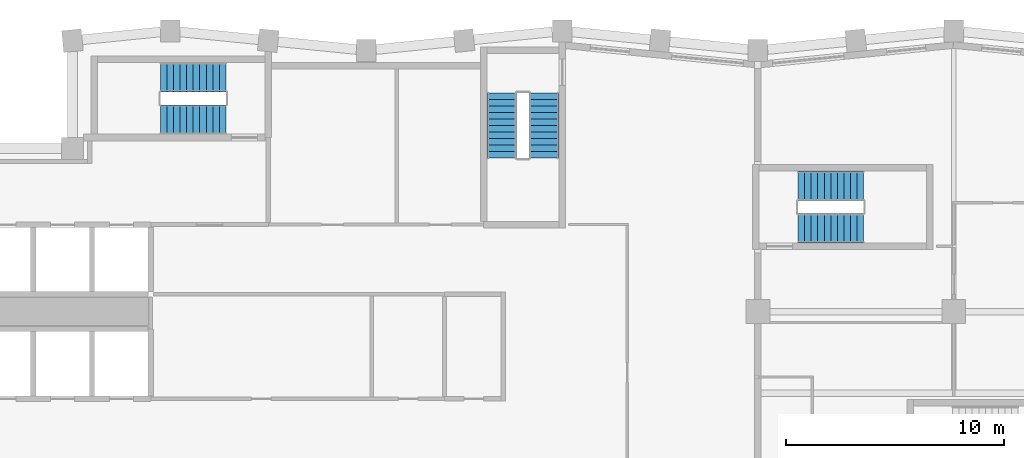
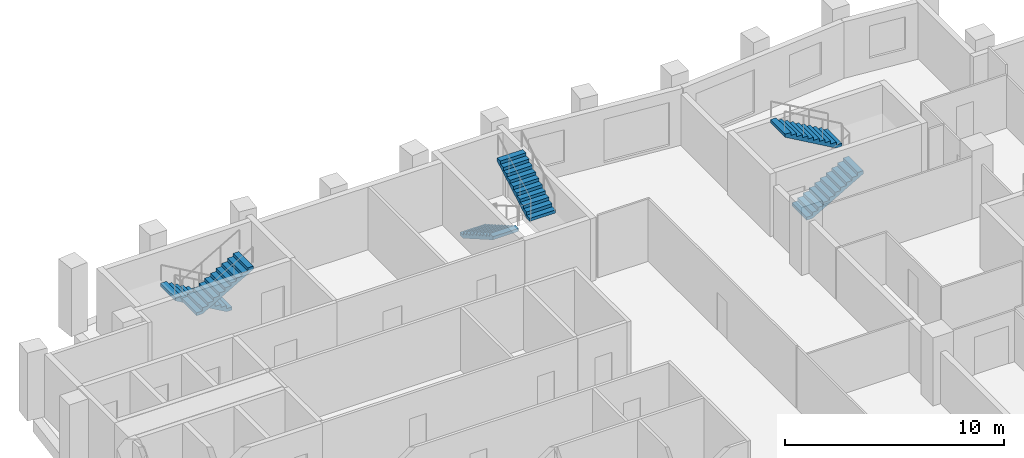
# One storey, part 7 of 8: 6 stair flights, 3 elements without a shape of their own.
"""IFC4 building model written with IfcOpenShell, lengths in metres."""

from ifc_helpers import new_model, si_unit, direction, frame, origin, place, context, subcontext, project, spatial, polyline, outline, extrude, material, type_object, element, aggregate, save


model = new_model("IFC4")

# Units and contexts
model_context = context("Model", 3, precision=1e-05, world=origin(), true_north=direction((0.0, 1.0)))
body_context = subcontext(model_context, "Body", "Model", "MODEL_VIEW")
ifc_project = project(units=[si_unit("LENGTHUNIT", "METRE"), si_unit("AREAUNIT", "SQUARE_METRE"), si_unit("VOLUMEUNIT", "CUBIC_METRE"), si_unit("PLANEANGLEUNIT", "RADIAN"), si_unit("MASSUNIT", "GRAM", prefix="KILO")], contexts=[model_context])

# Site, building, storey
site_placement = place(None, origin())
site = spatial("IfcSite", under=ifc_project, at=site_placement, CompositionType="ELEMENT")
building_placement = place(site_placement, origin())
building = spatial("IfcBuilding", under=site, at=building_placement, Name="Brondeck Convention Tower", CompositionType="ELEMENT")
storey_placement = place(building_placement, frame((0.0, 0.0, 217.800048828125)))
storey = spatial("IfcBuildingStorey", under=building, at=storey_placement, Name="L53", CompositionType="ELEMENT", Elevation=217.800048828125)

# Stair, stair flights
ifc_material = material(Name="Precast concrete C50/60", Category="concrete")
stair_type = type_object("IfcStairType", Name="Core stair 22 risers 172.73 mm riser 300 mm going 1350 wide", PredefinedType="HALF_TURN_STAIR", material=ifc_material)
stair_1_placement = place(storey_placement, origin())
stair_1 = element("IfcStair", 1, at=stair_1_placement, inside=storey, type_object=stair_type, Name="ST-2 L53 stair", PredefinedType="HALF_TURN_STAIR")
stair_flight_type = type_object("IfcStairFlightType", Name="Core stair flight 22 risers 172.73 mm riser 300 mm going 1350 wide", PredefinedType="STRAIGHT", material=ifc_material)
stair_flight_1_placement = place(storey_placement, frame((24.22509765625, 61.050048828125, 0.0), z_axis=(0.0, 0.0, 1.0), x_axis=(0.0, -1.0, 0.0)))
stair_flight_1 = element("IfcStairFlight", 2, at=stair_flight_1_placement, type_object=stair_flight_type, Name="ST-2 flight 1", NumberOfRisers=11, NumberOfTreads=10, PredefinedType="STRAIGHT", RiserHeight=0.172727273, TreadLength=0.3, context=body_context, shape_type="SweptSolid", body=[
    extrude(outline(polyline([(0.0, 0.0), (0.0, 0.172607421875), (0.300048828125, 0.172607421875), (0.300048828125, 0.345458984375), (0.60009765625, 0.345458984375), (0.60009765625, 0.51806640625), (0.89990234375, 0.51806640625), (0.89990234375, 0.69091796875), (1.199951171875, 0.69091796875), (1.199951171875, 0.863525390625), (1.5, 0.863525390625), (1.5, 1.036376953125), (1.800048828125, 1.036376953125), (1.800048828125, 1.208984375), (2.10009765625, 1.208984375), (2.10009765625, 1.3818359375), (2.39990234375, 1.3818359375), (2.39990234375, 1.554443359375), (2.699951171875, 1.554443359375), (2.699951171875, 1.727294921875), (3.0, 1.727294921875), (3.0, 1.89990234375), (3.0, 1.55419921875), (0.300537109375, 0.0), (0.0, 0.0)])), frame((0.0, 0.675048828125, 0.0), z_axis=(0.0, -1.0, 0.0), x_axis=(1.0, 0.0, 0.0)), (0.0, 0.0, 1.0), 1.35009765625),
])
stair_flight_2_placement = place(storey_placement, frame((26.175048828125, 58.050048828125, 1.89990234375), z_axis=(0.0, 0.0, 1.0), x_axis=(0.0, 1.0, 0.0)))
stair_flight_2 = element("IfcStairFlight", 3, at=stair_flight_2_placement, type_object=stair_flight_type, Name="ST-2 flight 2", NumberOfRisers=11, NumberOfTreads=10, PredefinedType="STRAIGHT", RiserHeight=0.172727273, TreadLength=0.3, context=body_context, shape_type="SweptSolid", body=[
    extrude(outline(polyline([(0.0, 0.0), (0.0, 0.172607421875), (0.300048828125, 0.172607421875), (0.300048828125, 0.345458984375), (0.60009765625, 0.345458984375), (0.60009765625, 0.51806640625), (0.89990234375, 0.51806640625), (0.89990234375, 0.69091796875), (1.199951171875, 0.69091796875), (1.199951171875, 0.863525390625), (1.5, 0.863525390625), (1.5, 1.036376953125), (1.800048828125, 1.036376953125), (1.800048828125, 1.208984375), (2.10009765625, 1.208984375), (2.10009765625, 1.3818359375), (2.39990234375, 1.3818359375), (2.39990234375, 1.554443359375), (2.699951171875, 1.554443359375), (2.699951171875, 1.727294921875), (3.0, 1.727294921875), (3.0, 1.89990234375), (3.0, 1.55419921875), (0.300537109375, 0.0), (0.0, 0.0)])), frame((0.0, 0.675048828125, 0.0), z_axis=(0.0, -1.0, 0.0), x_axis=(1.0, 0.0, 0.0)), (0.0, 0.0, 1.0), 1.35009765625),
])
aggregate(stair_1, [stair_flight_1, stair_flight_2])

stair_2_placement = place(storey_placement, origin())
stair_2 = element("IfcStair", 4, at=stair_2_placement, inside=storey, type_object=stair_type, Name="ST-3 L53 stair", PredefinedType="HALF_TURN_STAIR")
stair_flight_3_placement = place(storey_placement, frame((11.550048828125, 61.77490234375, 0.0), z_axis=(0.0, 0.0, 1.0), x_axis=(-1.0, 0.0, 0.0)))
stair_flight_3 = element("IfcStairFlight", 5, at=stair_flight_3_placement, type_object=stair_flight_type, Name="ST-3 flight 1", NumberOfRisers=11, NumberOfTreads=10, PredefinedType="STRAIGHT", RiserHeight=0.172727273, TreadLength=0.3, context=body_context, shape_type="SweptSolid", body=[
    extrude(outline(polyline([(0.0, 0.0), (0.0, 0.172607421875), (0.300048828125, 0.172607421875), (0.300048828125, 0.345458984375), (0.60009765625, 0.345458984375), (0.60009765625, 0.51806640625), (0.89990234375, 0.51806640625), (0.89990234375, 0.69091796875), (1.199951171875, 0.69091796875), (1.199951171875, 0.863525390625), (1.5, 0.863525390625), (1.5, 1.036376953125), (1.800048828125, 1.036376953125), (1.800048828125, 1.208984375), (2.10009765625, 1.208984375), (2.10009765625, 1.3818359375), (2.39990234375, 1.3818359375), (2.39990234375, 1.554443359375), (2.699951171875, 1.554443359375), (2.699951171875, 1.727294921875), (3.0, 1.727294921875), (3.0, 1.89990234375), (3.0, 1.55419921875), (0.300537109375, 0.0), (0.0, 0.0)])), frame((0.0, 0.675048828125, 0.0), z_axis=(0.0, -1.0, 0.0), x_axis=(1.0, 0.0, 0.0)), (0.0, 0.0, 1.0), 1.35009765625),
])
stair_flight_4_placement = place(storey_placement, frame((8.550048828125, 59.824951171875, 1.89990234375), z_axis=(0.0, 0.0, 1.0), x_axis=(1.0, 0.0, 0.0)))
stair_flight_4 = element("IfcStairFlight", 6, at=stair_flight_4_placement, type_object=stair_flight_type, Name="ST-3 flight 2", NumberOfRisers=11, NumberOfTreads=10, PredefinedType="STRAIGHT", RiserHeight=0.172727273, TreadLength=0.3, context=body_context, shape_type="SweptSolid", body=[
    extrude(outline(polyline([(0.0, 0.0), (0.0, 0.172607421875), (0.300048828125, 0.172607421875), (0.300048828125, 0.345458984375), (0.60009765625, 0.345458984375), (0.60009765625, 0.51806640625), (0.89990234375, 0.51806640625), (0.89990234375, 0.69091796875), (1.199951171875, 0.69091796875), (1.199951171875, 0.863525390625), (1.5, 0.863525390625), (1.5, 1.036376953125), (1.800048828125, 1.036376953125), (1.800048828125, 1.208984375), (2.10009765625, 1.208984375), (2.10009765625, 1.3818359375), (2.39990234375, 1.3818359375), (2.39990234375, 1.554443359375), (2.699951171875, 1.554443359375), (2.699951171875, 1.727294921875), (3.0, 1.727294921875), (3.0, 1.89990234375), (3.0, 1.55419921875), (0.300537109375, 0.0), (0.0, 0.0)])), frame((0.0, 0.675048828125, 0.0), z_axis=(0.0, -1.0, 0.0), x_axis=(1.0, 0.0, 0.0)), (0.0, 0.0, 1.0), 1.35009765625),
])
aggregate(stair_2, [stair_flight_3, stair_flight_4])

stair_3_placement = place(storey_placement, origin())
stair_3 = element("IfcStair", 7, at=stair_3_placement, inside=storey, type_object=stair_type, Name="ST-AE L53 stair", PredefinedType="HALF_TURN_STAIR")
stair_flight_5_placement = place(storey_placement, frame((37.85009765625, 54.824951171875, 0.0), z_axis=(0.0, 0.0, 1.0), x_axis=(1.0, 0.0, 0.0)))
stair_flight_5 = element("IfcStairFlight", 8, at=stair_flight_5_placement, type_object=stair_flight_type, Name="ST-AE flight 1", NumberOfRisers=11, NumberOfTreads=10, PredefinedType="STRAIGHT", RiserHeight=0.172727273, TreadLength=0.3, context=body_context, shape_type="SweptSolid", body=[
    extrude(outline(polyline([(0.0, 0.0), (0.0, 0.172607421875), (0.300048828125, 0.172607421875), (0.300048828125, 0.345458984375), (0.60009765625, 0.345458984375), (0.60009765625, 0.51806640625), (0.89990234375, 0.51806640625), (0.89990234375, 0.69091796875), (1.199951171875, 0.69091796875), (1.199951171875, 0.863525390625), (1.5, 0.863525390625), (1.5, 1.036376953125), (1.800048828125, 1.036376953125), (1.800048828125, 1.208984375), (2.10009765625, 1.208984375), (2.10009765625, 1.3818359375), (2.39990234375, 1.3818359375), (2.39990234375, 1.554443359375), (2.699951171875, 1.554443359375), (2.699951171875, 1.727294921875), (3.0, 1.727294921875), (3.0, 1.89990234375), (3.0, 1.55419921875), (0.300537109375, 0.0), (0.0, 0.0)])), frame((0.0, 0.675048828125, 0.0), z_axis=(0.0, -1.0, 0.0), x_axis=(1.0, 0.0, 0.0)), (0.0, 0.0, 1.0), 1.35009765625),
])
stair_flight_6_placement = place(storey_placement, frame((40.85009765625, 56.77490234375, 1.89990234375), z_axis=(0.0, 0.0, 1.0), x_axis=(-1.0, 0.0, 0.0)))
stair_flight_6 = element("IfcStairFlight", 9, at=stair_flight_6_placement, type_object=stair_flight_type, Name="ST-AE flight 2", NumberOfRisers=11, NumberOfTreads=10, PredefinedType="STRAIGHT", RiserHeight=0.172727273, TreadLength=0.3, context=body_context, shape_type="SweptSolid", body=[
    extrude(outline(polyline([(0.0, 0.0), (0.0, 0.172607421875), (0.300048828125, 0.172607421875), (0.300048828125, 0.345458984375), (0.60009765625, 0.345458984375), (0.60009765625, 0.51806640625), (0.89990234375, 0.51806640625), (0.89990234375, 0.69091796875), (1.199951171875, 0.69091796875), (1.199951171875, 0.863525390625), (1.5, 0.863525390625), (1.5, 1.036376953125), (1.800048828125, 1.036376953125), (1.800048828125, 1.208984375), (2.10009765625, 1.208984375), (2.10009765625, 1.3818359375), (2.39990234375, 1.3818359375), (2.39990234375, 1.554443359375), (2.699951171875, 1.554443359375), (2.699951171875, 1.727294921875), (3.0, 1.727294921875), (3.0, 1.89990234375), (3.0, 1.55419921875), (0.300537109375, 0.0), (0.0, 0.0)])), frame((0.0, 0.675048828125, 0.0), z_axis=(0.0, -1.0, 0.0), x_axis=(1.0, 0.0, 0.0)), (0.0, 0.0, 1.0), 1.35009765625),
])
aggregate(stair_3, [stair_flight_5, stair_flight_6])

save(model, "model.ifc")
